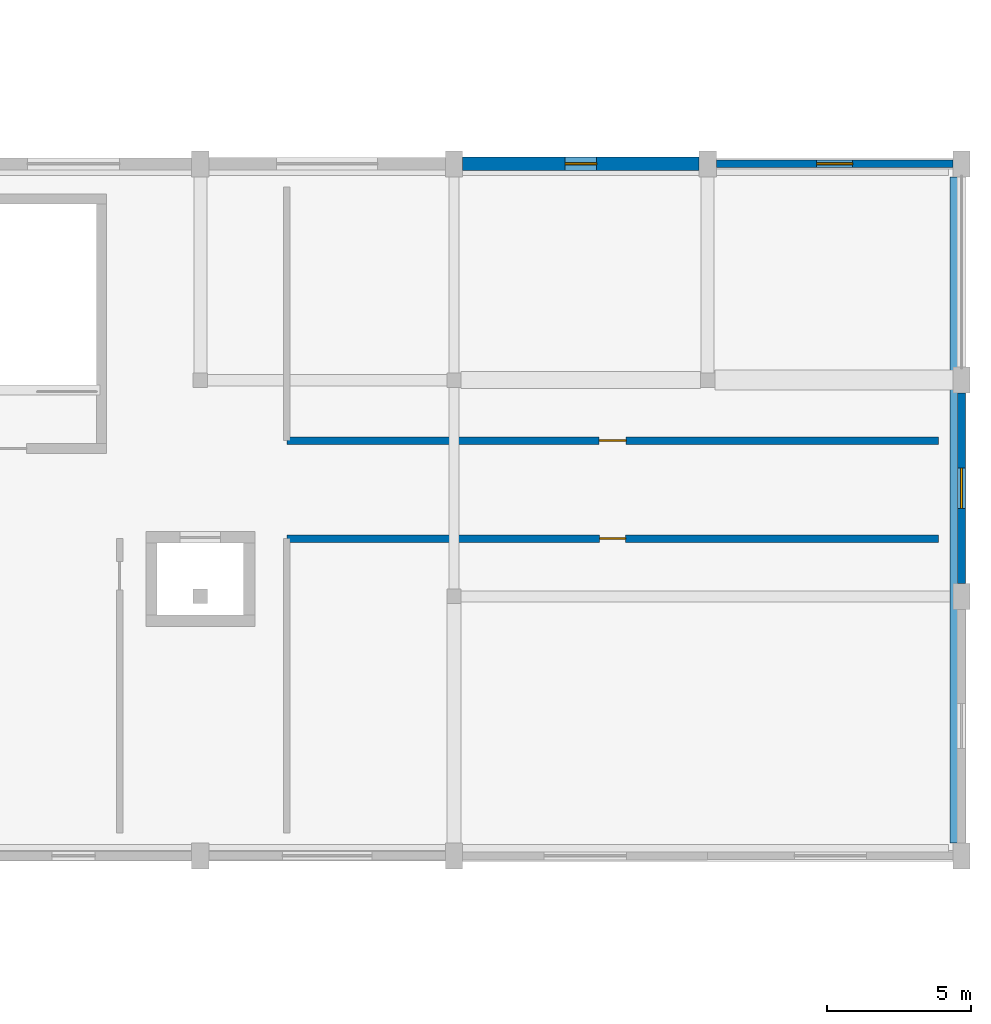
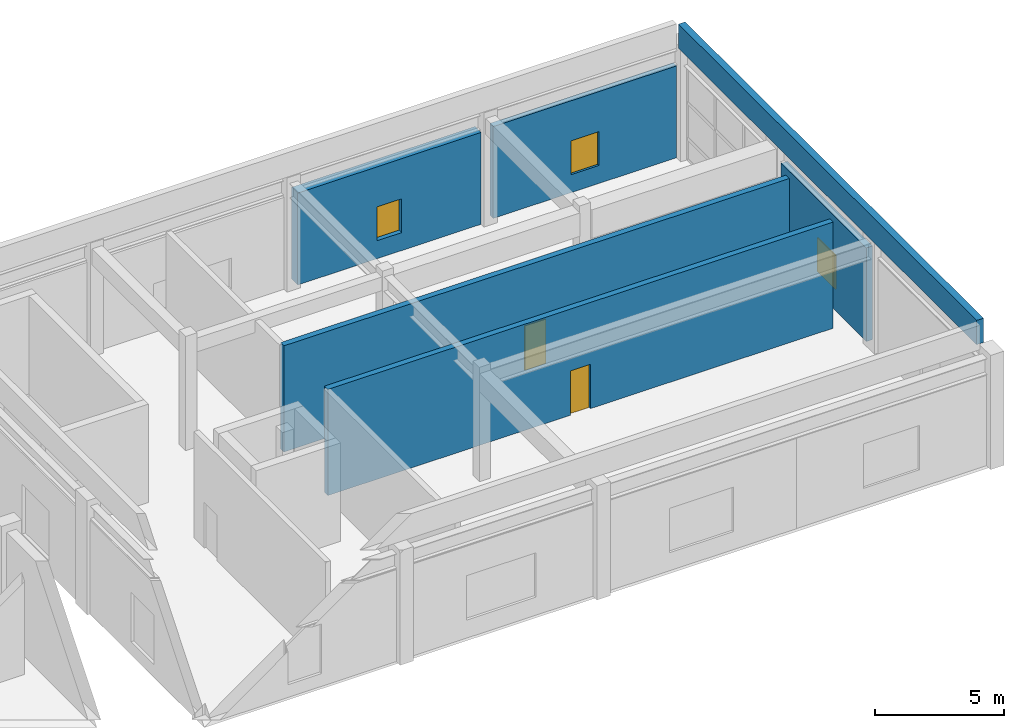
# One storey, part 32 of 41: 6 walls, 3 windows, 2 doors, 5 openings.
"""IFC4 building model written with IfcOpenShell, lengths in metres."""

from ifc_helpers import new_model, si_unit, direction, frame, frame_2d, origin, place, context, subcontext, project, spatial, rectangle, extrude, material, layer, layer_set, type_object, element, fill, save


model = new_model("IFC4")

# Units and contexts
model_context = context("Model", 3, precision=1e-05, world=origin(), true_north=direction((0.0, 1.0)))
body_context = subcontext(model_context, "Body", "Model", "MODEL_VIEW")
ifc_project = project(units=[si_unit("LENGTHUNIT", "METRE"), si_unit("AREAUNIT", "SQUARE_METRE"), si_unit("VOLUMEUNIT", "CUBIC_METRE"), si_unit("PLANEANGLEUNIT", "RADIAN"), si_unit("MASSUNIT", "GRAM", prefix="KILO")], contexts=[model_context])

# Site, building, storey
site_placement = place(None, origin())
site = spatial("IfcSite", under=ifc_project, at=site_placement, CompositionType="ELEMENT")
building_placement = place(site_placement, origin())
building = spatial("IfcBuilding", under=site, at=building_placement, Name="Vaelkrest Opera House", CompositionType="ELEMENT")
storey_placement = place(building_placement, frame((0.0, 0.0, 24.60009765625)))
storey = spatial("IfcBuildingStorey", under=building, at=storey_placement, Name="L05", CompositionType="ELEMENT", Elevation=24.60009765625)

# Wall, opening, window
ifc_material_1 = material(Name="Douglas fir glulam GL28h", Category="wood")
ifc_layer_1 = layer(ifc_material_1, 0.2548828125)
ifc_layer_set_1 = layer_set([ifc_layer_1], Name="Douglas fir glulam GL28h")
wall_type_1 = type_object("IfcWallType", Name="EW01", PredefinedType="STANDARD", material=ifc_layer_set_1)
wall_1_placement = place(storey_placement, frame((60.298095703125, 25.199951171875, 0.0), z_axis=(0.0, 0.0, 1.0), x_axis=(1.0, 0.0, 0.0)))
wall_1 = element("IfcWall", 1, at=wall_1_placement, inside=storey, type_object=wall_type_1, Name="Exterior facade wall EW-V4-L05-0301", PredefinedType="STANDARD", context=body_context, shape_type="SweptSolid", body=[
    extrude(rectangle(XDim=8.203857421875, YDim=0.2548828125, at=frame_2d((4.10205078125, 0.0))), origin(), (0.0, 0.0, 1.0), 4.344970703125),
])
opening_1_placement = place(wall_1_placement, frame((3.47705078125, 0.0, 0.85009765625)))
opening_1 = element("IfcOpeningElement", 2, at=opening_1_placement, cuts=wall_1, Name="Opening WN184", PredefinedType="OPENING", context=body_context, shape_type="SweptSolid", body=[
    extrude(rectangle(XDim=1.25, YDim=1.60009765625, at=frame_2d((0.625, 0.800048828125))), frame((0.0, 0.137451171875, 0.0), z_axis=(0.0, -1.0, 0.0), x_axis=(1.0, 0.0, 0.0)), (0.0, 0.0, 1.0), 0.27490234375),
])
ifc_material_2 = material(Name="Double low-E insulated glazing", Category="glass")
window_type_1 = type_object("IfcWindowType", Name="WT02", PartitioningType="SINGLE_PANEL", PredefinedType="WINDOW", material=ifc_material_2)
window_1_placement = place(opening_1_placement, origin())
window_1 = element("IfcWindow", 3, at=window_1_placement, inside=storey, type_object=window_type_1, Name="Facade window WN184", OverallHeight=1.60009765625, OverallWidth=1.25, PartitioningType="SINGLE_PANEL", PredefinedType="WINDOW", context=body_context, shape_type="SweptSolid", body=[
    extrude(rectangle(XDim=1.25, YDim=1.60009765625, at=frame_2d((0.625, 0.800048828125))), frame((0.0, 0.030029296875, 0.0), z_axis=(0.0, -1.0, 0.0), x_axis=(1.0, 0.0, 0.0)), (0.0, 0.0, 1.0), 0.06005859375),
])
fill(opening_1, window_1)

ifc_layer_2 = layer(ifc_material_1, 0.27490234375)
ifc_layer_set_2 = layer_set([ifc_layer_2], Name="Douglas fir glulam GL28h")
wall_type_2 = type_object("IfcWallType", Name="EW02", PredefinedType="STANDARD", material=ifc_layer_set_2)
wall_2_placement = place(storey_placement, frame((68.800048828125, 17.251953125, 0.0), z_axis=(0.0, 0.0, 1.0), x_axis=(0.0, -1.0, 0.0)))
wall_2 = element("IfcWall", 4, at=wall_2_placement, inside=storey, type_object=wall_type_2, Name="Exterior facade wall EW-V4-L05-0302", PredefinedType="STANDARD", context=body_context, shape_type="SweptSolid", body=[
    extrude(rectangle(XDim=6.60400390625, YDim=0.27490234375, at=frame_2d((3.302001953125, 0.0))), origin(), (0.0, 0.0, 1.0), 4.428955078125),
])
opening_2_placement = place(wall_2_placement, frame((2.60205078125, 0.0, 0.85009765625)))
opening_2 = element("IfcOpeningElement", 5, at=opening_2_placement, cuts=wall_2, Name="Opening WN185", PredefinedType="OPENING", context=body_context, shape_type="SweptSolid", body=[
    extrude(rectangle(XDim=1.39990234375, YDim=1.60009765625, at=frame_2d((0.699951171875, 0.800048828125))), frame((0.0, 0.1474609375, 0.0), z_axis=(0.0, -1.0, 0.0), x_axis=(1.0, 0.0, 0.0)), (0.0, 0.0, 1.0), 0.294921875),
])
window_type_2 = type_object("IfcWindowType", Name="WT03", PartitioningType="SINGLE_PANEL", PredefinedType="WINDOW", material=ifc_material_2)
window_2_placement = place(opening_2_placement, origin())
window_2 = element("IfcWindow", 6, at=window_2_placement, inside=storey, type_object=window_type_2, Name="Facade window WN185", OverallHeight=1.60009765625, OverallWidth=1.39990234375, PartitioningType="SINGLE_PANEL", PredefinedType="WINDOW", context=body_context, shape_type="SweptSolid", body=[
    extrude(rectangle(XDim=1.39990234375, YDim=1.60009765625, at=frame_2d((0.699951171875, 0.800048828125))), frame((0.0, 0.030029296875, 0.0), z_axis=(0.0, -1.0, 0.0), x_axis=(1.0, 0.0, 0.0)), (0.0, 0.0, 1.0), 0.06005859375),
])
fill(opening_2, window_2)

ifc_material_3 = material(Name="Concrete C40/50", Category="concrete")
ifc_layer_3 = layer(ifc_material_3, 0.465087890625)
ifc_layer_set_3 = layer_set([ifc_layer_3], Name="Concrete C40/50")
wall_type_3 = type_object("IfcWallType", Name="EW10", PredefinedType="STANDARD", material=ifc_layer_set_3)
wall_3_placement = place(storey_placement, frame((51.498046875, 25.199951171875, 0.0), z_axis=(0.0, 0.0, 1.0), x_axis=(1.0, 0.0, 0.0)))
wall_3 = element("IfcWall", 7, at=wall_3_placement, inside=storey, type_object=wall_type_3, Name="Exterior facade wall EW-V4-L05-0300", PredefinedType="STANDARD", context=body_context, shape_type="SweptSolid", body=[
    extrude(rectangle(XDim=8.203857421875, YDim=0.465087890625, at=frame_2d((4.10205078125, 0.0))), origin(), (0.0, 0.0, 1.0), 4.344970703125),
])
opening_3_placement = place(wall_3_placement, frame((3.552001953125, 0.0, 0.85009765625)))
opening_3 = element("IfcOpeningElement", 8, at=opening_3_placement, cuts=wall_3, Name="Opening WN183", PredefinedType="OPENING", context=body_context, shape_type="SweptSolid", body=[
    extrude(rectangle(XDim=1.10009765625, YDim=1.60009765625, at=frame_2d((0.550048828125, 0.800048828125))), frame((0.0, 0.242431640625, 0.0), z_axis=(0.0, -1.0, 0.0), x_axis=(1.0, 0.0, 0.0)), (0.0, 0.0, 1.0), 0.485107421875),
])
window_type_3 = type_object("IfcWindowType", Name="WT01", PartitioningType="SINGLE_PANEL", PredefinedType="WINDOW", material=ifc_material_2)
window_3_placement = place(opening_3_placement, origin())
window_3 = element("IfcWindow", 9, at=window_3_placement, inside=storey, type_object=window_type_3, Name="Facade window WN183", OverallHeight=1.60009765625, OverallWidth=1.10009765625, PartitioningType="SINGLE_PANEL", PredefinedType="WINDOW", context=body_context, shape_type="SweptSolid", body=[
    extrude(rectangle(XDim=1.10009765625, YDim=1.60009765625, at=frame_2d((0.550048828125, 0.800048828125))), frame((0.0, 0.030029296875, 0.0), z_axis=(0.0, -1.0, 0.0), x_axis=(1.0, 0.0, 0.0)), (0.0, 0.0, 1.0), 0.06005859375),
])
fill(opening_3, window_3)

# Wall
ifc_layer_4 = layer(ifc_material_3, 0.300048828125)
ifc_layer_set_4 = layer_set([ifc_layer_4], Name="Concrete C40/50")
wall_type_4 = type_object("IfcWallType", Name="PP04", PredefinedType="PARAPET", material=ifc_layer_set_4)
wall_4_placement = place(storey_placement, frame((68.550048828125, 1.64990234375, 5.39990234375), z_axis=(0.0, 0.0, 1.0), x_axis=(0.0, 1.0, 0.0)))
element("IfcWall", 10, at=wall_4_placement, inside=storey, type_object=wall_type_4, Name="Roof parapet 02", PredefinedType="PARAPET", context=body_context, shape_type="SweptSolid", body=[
    extrude(rectangle(XDim=23.10009765625, YDim=0.300048828125, at=frame_2d((11.550048828125, 0.0))), origin(), (0.0, 0.0, 1.0), 1.14990234375),
])

# Wall, opening, door
ifc_layer_5 = layer(ifc_material_3, 0.260009765625)
ifc_layer_set_5 = layer_set([ifc_layer_5], Name="Concrete C40/50")
wall_type_5 = type_object("IfcWallType", Name="PT10", PredefinedType="PARTITIONING", material=ifc_layer_set_5)
wall_5_placement = place(storey_placement, frame((45.39990234375, 12.199951171875, 0.0), z_axis=(0.0, 0.0, 1.0), x_axis=(1.0, 0.0, 0.0)))
wall_5 = element("IfcWall", 11, at=wall_5_placement, inside=storey, type_object=wall_type_5, Name="Interior partition PT-V4-L05-0400", PredefinedType="PARTITIONING", context=body_context, shape_type="SweptSolid", body=[
    extrude(rectangle(XDim=22.60009765625, YDim=0.260009765625, at=frame_2d((11.300048828125, 0.0))), origin(), (0.0, 0.0, 1.0), 5.02001953125),
])
opening_4_placement = place(wall_5_placement, frame((10.85009765625, 0.0, 0.0)))
opening_4 = element("IfcOpeningElement", 12, at=opening_4_placement, cuts=wall_5, Name="Opening D166", PredefinedType="OPENING", context=body_context, shape_type="SweptSolid", body=[
    extrude(rectangle(XDim=0.89990234375, YDim=2.10009765625, at=frame_2d((0.449951171875, 1.050048828125))), frame((0.0, 0.139892578125, 0.0), z_axis=(0.0, -1.0, 0.0), x_axis=(1.0, 0.0, 0.0)), (0.0, 0.0, 1.0), 0.280029296875),
])
ifc_material_4 = material(Name="American black walnut acoustic timber", Category="wood")
door_type_1 = type_object("IfcDoorType", Name="DT01", OperationType="NOTDEFINED", PredefinedType="DOOR", material=ifc_material_4)
door_1_placement = place(opening_4_placement, origin())
door_1 = element("IfcDoor", 13, at=door_1_placement, inside=storey, type_object=door_type_1, Name="Interior door D166 (Music Library Archive)", OperationType="SINGLE_SWING_RIGHT", OverallHeight=2.10009765625, OverallWidth=0.89990234375, PredefinedType="DOOR", context=body_context, shape_type="SweptSolid", body=[
    extrude(rectangle(XDim=0.89990234375, YDim=2.10009765625, at=frame_2d((0.449951171875, 1.050048828125))), frame((0.0, 0.02490234375, 0.0), z_axis=(0.0, -1.0, 0.0), x_axis=(1.0, 0.0, 0.0)), (0.0, 0.0, 1.0), 0.050048828125),
])
fill(opening_4, door_1)

wall_6_placement = place(storey_placement, frame((45.39990234375, 15.60009765625, 0.0), z_axis=(0.0, 0.0, 1.0), x_axis=(1.0, 0.0, 0.0)))
wall_6 = element("IfcWall", 14, at=wall_6_placement, inside=storey, type_object=wall_type_5, Name="Interior partition PT-V4-L05-0402", PredefinedType="PARTITIONING", context=body_context, shape_type="SweptSolid", body=[
    extrude(rectangle(XDim=22.60009765625, YDim=0.260009765625, at=frame_2d((11.300048828125, 0.0))), origin(), (0.0, 0.0, 1.0), 5.02001953125),
])
opening_5_placement = place(wall_6_placement, frame((10.830078125, 0.0, 0.0)))
opening_5 = element("IfcOpeningElement", 15, at=opening_5_placement, cuts=wall_6, Name="Opening D167", PredefinedType="OPENING", context=body_context, shape_type="SweptSolid", body=[
    extrude(rectangle(XDim=0.93994140625, YDim=2.10009765625, at=frame_2d((0.469970703125, 1.050048828125))), frame((0.0, 0.139892578125, 0.0), z_axis=(0.0, -1.0, 0.0), x_axis=(1.0, 0.0, 0.0)), (0.0, 0.0, 1.0), 0.280029296875),
])
door_type_2 = type_object("IfcDoorType", Name="DT02", OperationType="NOTDEFINED", PredefinedType="DOOR", material=ifc_material_4)
door_2_placement = place(opening_5_placement, origin())
door_2 = element("IfcDoor", 16, at=door_2_placement, inside=storey, type_object=door_type_2, Name="Interior door D167 (HVAC Plant Room)", OperationType="SINGLE_SWING_LEFT", OverallHeight=2.10009765625, OverallWidth=0.93994140625, PredefinedType="DOOR", context=body_context, shape_type="SweptSolid", body=[
    extrude(rectangle(XDim=0.93994140625, YDim=2.10009765625, at=frame_2d((0.469970703125, 1.050048828125))), frame((0.0, 0.02490234375, 0.0), z_axis=(0.0, -1.0, 0.0), x_axis=(1.0, 0.0, 0.0)), (0.0, 0.0, 1.0), 0.050048828125),
])
fill(opening_5, door_2)

save(model, "model.ifc")
